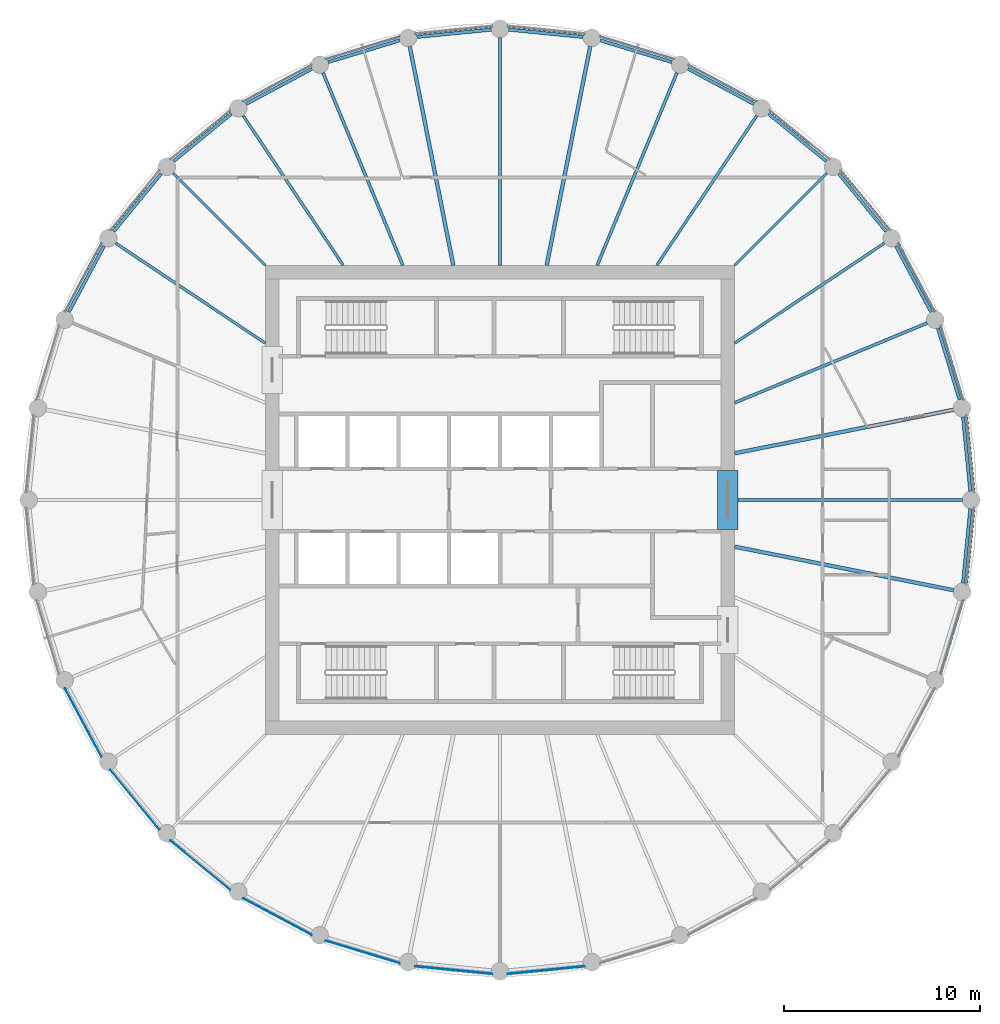
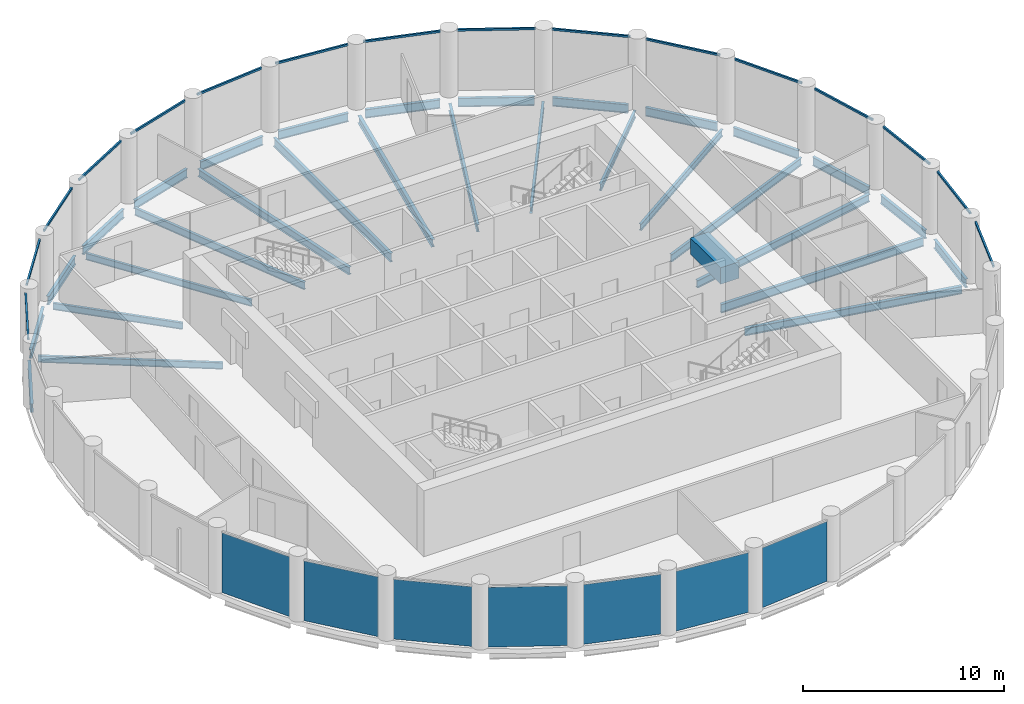
# One storey, part 2 of 7: 31 beams, 16 members, 7 plates, 23 elements without a shape of their own.
"""IFC4 building model written with IfcOpenShell, lengths in metres."""

from ifc_helpers import new_model, si_unit, direction, frame, origin, origin_2d, place, context, subcontext, project, spatial, rectangle, i_section, extrude, material, layer, layer_set, material_profile, profile_set, type_object, element, aggregate, save


model = new_model("IFC4")

# Units and contexts
model_context = context("Model", 3, precision=1e-05, world=origin(), true_north=direction((0.0, 1.0)))
body_context = subcontext(model_context, "Body", "Model", "MODEL_VIEW")
ifc_project = project(units=[si_unit("LENGTHUNIT", "METRE"), si_unit("AREAUNIT", "SQUARE_METRE"), si_unit("VOLUMEUNIT", "CUBIC_METRE"), si_unit("PLANEANGLEUNIT", "RADIAN"), si_unit("MASSUNIT", "GRAM", prefix="KILO")], contexts=[model_context])

# Site, building, storey
site_placement = place(None, origin())
site = spatial("IfcSite", under=ifc_project, at=site_placement, CompositionType="ELEMENT")
building_placement = place(site_placement, origin())
building = spatial("IfcBuilding", under=site, at=building_placement, Name="Corvane Civic Tower", CompositionType="ELEMENT")
storey_placement = place(building_placement, frame((0.0, 0.0, 315.0)))
storey = spatial("IfcBuildingStorey", under=building, at=storey_placement, Name="L75", CompositionType="ELEMENT", Elevation=315.0)

# Beams
ifc_material_1 = material(Name="Concrete C40/50", Category="concrete")
ifc_material_profile_1 = material_profile(ifc_material_1, rectangle(XDim=1.050048828125, YDim=1.0, at=origin_2d()), Name="COUPLING BEAM 1050X1000")
ifc_profile_set_1 = profile_set([ifc_material_profile_1], Name="Concrete C40/50")
beam_type_1 = type_object("IfcBeamType", Name="COUPLING BEAM COUPLING BEAM 1050X1000", PredefinedType="BEAM", material=ifc_profile_set_1)
beam_1_placement = place(storey_placement, frame((11.64990234375, -1.5, 2.60009765625), z_axis=(0.0, 1.0, 0.0), x_axis=(-1.0, 0.0, 0.0)))
element("IfcBeam", 1, at=beam_1_placement, inside=storey, type_object=beam_type_1, Name="BM-L75-cpl-CW-LE", PredefinedType="BEAM", context=body_context, shape_type="SweptSolid", body=[
    extrude(rectangle(XDim=1.050048828125, YDim=1.0, at=origin_2d()), origin(), (0.0, 0.0, 1.0), 3.0),
])
ifc_material_2 = material(Name="Steel ASTM A992 Gr 50", Category="steel")
ifc_material_profile_2 = material_profile(ifc_material_2, i_section(OverallWidth=0.165771484375, OverallDepth=0.5283203125, WebThickness=0.009765625, FlangeThickness=0.013671875, at=origin_2d()), Name="W21X50")
ifc_profile_set_2 = profile_set([ifc_material_profile_2], Name="Steel ASTM A992 Gr 50")
beam_type_2 = type_object("IfcBeamType", Name="EDGE BEAM W21X50", PredefinedType="BEAM", material=ifc_profile_set_2)
for number, where, z_axis, x_axis, name in (
    (2, (0.44775390625, 24.055908203125, -0.564208984375), (0.995187721162, -0.097986732007, 0.0), (0.097986732007, 0.995187721162, 0.0), "BM-L75-E01"),
    (3, (5.13232421875, 23.50634765625, -0.564208984375), (0.95692555902, -0.290333385085, 0.0), (0.290333385085, 0.95692555902, 0.0), "BM-L75-E02"),
):
    element("IfcBeam", number, at=place(storey_placement, frame(where, z_axis=z_axis, x_axis=x_axis)), inside=storey, type_object=beam_type_2, Name=name, PredefinedType="BEAM", context=body_context, shape_type="SweptSolid", body=[
        extrude(i_section(OverallWidth=0.165771484375, OverallDepth=0.5283203125, WebThickness=0.009765625, FlangeThickness=0.013671875, at=origin_2d()), origin(), (0.0, 0.0, 1.0), 3.824462890625),
    ])
beam_2_placement = place(storey_placement, frame((9.61962890625, 22.05322265625, -0.564208984375), z_axis=(0.881914279413, -0.471409804487, 0.0), x_axis=(0.471409804487, 0.881914279413, 0.0)))
element("IfcBeam", 4, at=beam_2_placement, inside=storey, type_object=beam_type_2, Name="BM-L75-E03", PredefinedType="BEAM", context=body_context, shape_type="SweptSolid", body=[
    extrude(i_section(OverallWidth=0.165771484375, OverallDepth=0.5283203125, WebThickness=0.009765625, FlangeThickness=0.013671875, at=origin_2d()), origin(), (0.0, 0.0, 1.0), 3.82421875),
])
for number, where, z_axis, x_axis, name in (
    (5, (13.737060546875, 19.7529296875, -0.564208984375), (0.772997914867, -0.634408562057, 0.0), (0.634408562057, 0.772997914867, 0.0), "BM-L75-E04"),
    (6, (17.32666015625, 16.693359375, -0.564208984375), (0.634408562057, -0.772997914867, 0.0), (0.772997914867, 0.634408562057, 0.0), "BM-L75-E05"),
):
    element("IfcBeam", number, at=place(storey_placement, frame(where, z_axis=z_axis, x_axis=x_axis)), inside=storey, type_object=beam_type_2, Name=name, PredefinedType="BEAM", context=body_context, shape_type="SweptSolid", body=[
        extrude(i_section(OverallWidth=0.165771484375, OverallDepth=0.5283203125, WebThickness=0.009765625, FlangeThickness=0.013671875, at=origin_2d()), origin(), (0.0, 0.0, 1.0), 3.824462890625),
    ])
beam_3_placement = place(storey_placement, frame((20.25048828125, 12.9921875, -0.564208984375), z_axis=(0.471409804487, -0.881914279413, 0.0), x_axis=(0.881914279413, 0.471409804487, 0.0)))
element("IfcBeam", 7, at=beam_3_placement, inside=storey, type_object=beam_type_2, Name="BM-L75-E06", PredefinedType="BEAM", context=body_context, shape_type="SweptSolid", body=[
    extrude(i_section(OverallWidth=0.165771484375, OverallDepth=0.5283203125, WebThickness=0.009765625, FlangeThickness=0.013671875, at=origin_2d()), origin(), (0.0, 0.0, 1.0), 3.82421875),
])
for number, where, z_axis, x_axis, name in (
    (8, (22.39599609375, 8.7919921875, -0.564208984375), (0.290333385085, -0.95692555902, 0.0), (0.95692555902, 0.290333385085, 0.0), "BM-L75-E07"),
    (9, (23.68115234375, 4.25390625, -0.564208984375), (0.097986732007, -0.995187721162, 0.0), (0.995187721162, 0.097986732007, 0.0), "BM-L75-E08"),
    (10, (24.055908203125, -0.44775390625, -0.564208984375), (-0.097986732007, -0.995187721162, 0.0), (0.995187721162, -0.097986732007, 0.0), "BM-L75-E09"),
):
    element("IfcBeam", number, at=place(storey_placement, frame(where, z_axis=z_axis, x_axis=x_axis)), inside=storey, type_object=beam_type_2, Name=name, PredefinedType="BEAM", context=body_context, shape_type="SweptSolid", body=[
        extrude(i_section(OverallWidth=0.165771484375, OverallDepth=0.5283203125, WebThickness=0.009765625, FlangeThickness=0.013671875, at=origin_2d()), origin(), (0.0, 0.0, 1.0), 3.824462890625),
    ])
beam_4_placement = place(storey_placement, frame((-22.05322265625, 9.61962890625, -0.564208984375), z_axis=(0.471409804487, 0.881914279413, 0.0), x_axis=(-0.881914279413, 0.471409804487, 0.0)))
element("IfcBeam", 11, at=beam_4_placement, inside=storey, type_object=beam_type_2, Name="BM-L75-E27", PredefinedType="BEAM", context=body_context, shape_type="SweptSolid", body=[
    extrude(i_section(OverallWidth=0.165771484375, OverallDepth=0.5283203125, WebThickness=0.009765625, FlangeThickness=0.013671875, at=origin_2d()), origin(), (0.0, 0.0, 1.0), 3.82421875),
])
for number, where, z_axis, x_axis, name in (
    (12, (-19.7529296875, 13.737060546875, -0.564208984375), (0.634408562057, 0.772997914867, 0.0), (-0.772997914867, 0.634408562057, 0.0), "BM-L75-E28"),
    (13, (-16.693359375, 17.32666015625, -0.564208984375), (0.772997914867, 0.634408562057, 0.0), (-0.634408562057, 0.772997914867, 0.0), "BM-L75-E29"),
):
    element("IfcBeam", number, at=place(storey_placement, frame(where, z_axis=z_axis, x_axis=x_axis)), inside=storey, type_object=beam_type_2, Name=name, PredefinedType="BEAM", context=body_context, shape_type="SweptSolid", body=[
        extrude(i_section(OverallWidth=0.165771484375, OverallDepth=0.5283203125, WebThickness=0.009765625, FlangeThickness=0.013671875, at=origin_2d()), origin(), (0.0, 0.0, 1.0), 3.824462890625),
    ])
beam_5_placement = place(storey_placement, frame((-12.9921875, 20.25048828125, -0.564208984375), z_axis=(0.881914279413, 0.471409804487, 0.0), x_axis=(-0.471409804487, 0.881914279413, 0.0)))
element("IfcBeam", 14, at=beam_5_placement, inside=storey, type_object=beam_type_2, Name="BM-L75-E30", PredefinedType="BEAM", context=body_context, shape_type="SweptSolid", body=[
    extrude(i_section(OverallWidth=0.165771484375, OverallDepth=0.5283203125, WebThickness=0.009765625, FlangeThickness=0.013671875, at=origin_2d()), origin(), (0.0, 0.0, 1.0), 3.82421875),
])
for number, where, z_axis, x_axis, name in (
    (15, (-8.7919921875, 22.39599609375, -0.564208984375), (0.95692555902, 0.290333385085, 0.0), (-0.290333385085, 0.95692555902, 0.0), "BM-L75-E31"),
    (16, (-4.25390625, 23.68115234375, -0.564208984375), (0.995187721162, 0.097986732007, 0.0), (-0.097986732007, 0.995187721162, 0.0), "BM-L75-E32"),
):
    element("IfcBeam", number, at=place(storey_placement, frame(where, z_axis=z_axis, x_axis=x_axis)), inside=storey, type_object=beam_type_2, Name=name, PredefinedType="BEAM", context=body_context, shape_type="SweptSolid", body=[
        extrude(i_section(OverallWidth=0.165771484375, OverallDepth=0.5283203125, WebThickness=0.009765625, FlangeThickness=0.013671875, at=origin_2d()), origin(), (0.0, 0.0, 1.0), 3.824462890625),
    ])
ifc_material_3 = material(Name="Steel ASTM A992 Gr 50", Category="steel")
ifc_material_profile_3 = material_profile(ifc_material_3, i_section(OverallWidth=0.140380859375, OverallDepth=0.40380859375, WebThickness=0.007080078125, FlangeThickness=0.01123046875, at=origin_2d()), Name="W16X31")
ifc_profile_set_3 = profile_set([ifc_material_profile_3], Name="Steel ASTM A992 Gr 50")
beam_type_3 = type_object("IfcBeamType", Name="FLOOR GIRDER W16X31", PredefinedType="BEAM", material=ifc_profile_set_3)
beam_6_placement = place(storey_placement, frame((8.01806640625, 12.0, -0.501953125), z_axis=(0.555567816355, 0.831471227061, 0.0), x_axis=(-0.831471227061, 0.555567816355, 0.0)))
element("IfcBeam", 17, at=beam_6_placement, inside=storey, type_object=beam_type_3, Name="BM-L75-G04", PredefinedType="BEAM", context=body_context, shape_type="SweptSolid", body=[
    extrude(i_section(OverallWidth=0.140380859375, OverallDepth=0.40380859375, WebThickness=0.007080078125, FlangeThickness=0.01123046875, at=origin_2d()), origin(), (0.0, 0.0, 1.0), 9.2177734375),
])
beam_7_placement = place(storey_placement, frame((12.0, 12.0, -0.501953125), z_axis=(0.707106781187, 0.707106781187, 0.0), x_axis=(-0.707106781187, 0.707106781187, 0.0)))
element("IfcBeam", 18, at=beam_7_placement, inside=storey, type_object=beam_type_3, Name="BM-L75-G05", PredefinedType="BEAM", context=body_context, shape_type="SweptSolid", body=[
    extrude(i_section(OverallWidth=0.140380859375, OverallDepth=0.40380859375, WebThickness=0.007080078125, FlangeThickness=0.01123046875, at=origin_2d()), origin(), (0.0, 0.0, 1.0), 6.679443359375),
])
for number, where, z_axis, x_axis, name in (
    (19, (12.0, 8.01806640625, -0.501953125), (0.831471227061, 0.555567816355, 0.0), (-0.555567816355, 0.831471227061, 0.0), "BM-L75-G06"),
    (20, (-12.0, 8.01806640625, -0.501953125), (-0.831471227061, 0.555567816355, 0.0), (-0.555567816355, -0.831471227061, 0.0), "BM-L75-G28"),
):
    element("IfcBeam", number, at=place(storey_placement, frame(where, z_axis=z_axis, x_axis=x_axis)), inside=storey, type_object=beam_type_3, Name=name, PredefinedType="BEAM", context=body_context, shape_type="SweptSolid", body=[
        extrude(i_section(OverallWidth=0.140380859375, OverallDepth=0.40380859375, WebThickness=0.007080078125, FlangeThickness=0.01123046875, at=origin_2d()), origin(), (0.0, 0.0, 1.0), 9.2177734375),
    ])
beam_8_placement = place(storey_placement, frame((-12.0, 12.0, -0.501953125), z_axis=(-0.707106781187, 0.707106781187, 0.0), x_axis=(-0.707106781187, -0.707106781187, 0.0)))
element("IfcBeam", 21, at=beam_8_placement, inside=storey, type_object=beam_type_3, Name="BM-L75-G29", PredefinedType="BEAM", context=body_context, shape_type="SweptSolid", body=[
    extrude(i_section(OverallWidth=0.140380859375, OverallDepth=0.40380859375, WebThickness=0.007080078125, FlangeThickness=0.01123046875, at=origin_2d()), origin(), (0.0, 0.0, 1.0), 6.679443359375),
])
beam_9_placement = place(storey_placement, frame((-8.01806640625, 12.0, -0.501953125), z_axis=(-0.555567816355, 0.831471227061, 0.0), x_axis=(-0.831471227061, -0.555567816355, 0.0)))
element("IfcBeam", 22, at=beam_9_placement, inside=storey, type_object=beam_type_3, Name="BM-L75-G30", PredefinedType="BEAM", context=body_context, shape_type="SweptSolid", body=[
    extrude(i_section(OverallWidth=0.140380859375, OverallDepth=0.40380859375, WebThickness=0.007080078125, FlangeThickness=0.01123046875, at=origin_2d()), origin(), (0.0, 0.0, 1.0), 9.2177734375),
])
ifc_material_4 = material(Name="Steel ASTM A992 Gr 50", Category="steel")
ifc_material_profile_4 = material_profile(ifc_material_4, i_section(OverallWidth=0.15283203125, OverallDepth=0.45458984375, WebThickness=0.008056640625, FlangeThickness=0.013427734375, at=origin_2d()), Name="W18X40")
ifc_profile_set_4 = profile_set([ifc_material_profile_4], Name="Steel ASTM A992 Gr 50")
beam_type_4 = type_object("IfcBeamType", Name="FLOOR GIRDER W18X40", PredefinedType="BEAM", material=ifc_profile_set_4)
for number, where, z_axis, x_axis, name in (
    (23, (4.970458984375, 12.0, -0.52734375), (0.382694257331, 0.923875048589, 0.0), (-0.923875048589, 0.382694257331, 0.0), "BM-L75-G03"),
    (24, (12.0, 4.970458984375, -0.52734375), (0.923875048589, 0.382694257331, 0.0), (-0.382694257331, 0.923875048589, 0.0), "BM-L75-G07"),
    (25, (-4.970458984375, 12.0, -0.52734375), (-0.382694257331, 0.923875048589, 0.0), (-0.923875048589, -0.382694257331, 0.0), "BM-L75-G31"),
):
    element("IfcBeam", number, at=place(storey_placement, frame(where, z_axis=z_axis, x_axis=x_axis)), inside=storey, type_object=beam_type_4, Name=name, PredefinedType="BEAM", context=body_context, shape_type="SweptSolid", body=[
        extrude(i_section(OverallWidth=0.15283203125, OverallDepth=0.45458984375, WebThickness=0.008056640625, FlangeThickness=0.013427734375, at=origin_2d()), origin(), (0.0, 0.0, 1.0), 10.661376953125),
    ])
ifc_material_5 = material(Name="Steel ASTM A992 Gr 50", Category="steel")
ifc_material_profile_5 = material_profile(ifc_material_5, i_section(OverallWidth=0.1904296875, OverallDepth=0.457275390625, WebThickness=0.009033203125, FlangeThickness=0.014404296875, at=origin_2d()), Name="W18X50")
ifc_profile_set_5 = profile_set([ifc_material_profile_5], Name="Steel ASTM A992 Gr 50")
beam_type_5 = type_object("IfcBeamType", Name="FLOOR GIRDER W18X50", PredefinedType="BEAM", material=ifc_profile_set_5)
for number, where, z_axis, x_axis, name in (
    (26, (2.386962890625, 12.0, -0.528564453125), (0.195079532402, 0.980787426529, 0.0), (-0.980787426529, 0.195079532402, 0.0), "BM-L75-G02"),
    (27, (12.0, 2.386962890625, -0.528564453125), (0.980787426529, 0.195079532402, 0.0), (-0.195079532402, 0.980787426529, 0.0), "BM-L75-G08"),
    (28, (12.0, -2.386962890625, -0.528564453125), (0.980787426529, -0.195079532402, 0.0), (0.195079532402, 0.980787426529, 0.0), "BM-L75-G10"),
    (29, (-2.386962890625, 12.0, -0.528564453125), (-0.195079532402, 0.980787426529, 0.0), (-0.980787426529, -0.195079532402, 0.0), "BM-L75-G32"),
):
    element("IfcBeam", number, at=place(storey_placement, frame(where, z_axis=z_axis, x_axis=x_axis)), inside=storey, type_object=beam_type_5, Name=name, PredefinedType="BEAM", context=body_context, shape_type="SweptSolid", body=[
        extrude(i_section(OverallWidth=0.1904296875, OverallDepth=0.457275390625, WebThickness=0.009033203125, FlangeThickness=0.014404296875, at=origin_2d()), origin(), (0.0, 0.0, 1.0), 11.414794921875),
    ])
ifc_material_6 = material(Name="Steel ASTM A992 Gr 50", Category="steel")
ifc_material_profile_6 = material_profile(ifc_material_6, i_section(OverallWidth=0.165771484375, OverallDepth=0.5283203125, WebThickness=0.009765625, FlangeThickness=0.013671875, at=origin_2d()), Name="W21X50")
ifc_profile_set_6 = profile_set([ifc_material_profile_6], Name="Steel ASTM A992 Gr 50")
beam_type_6 = type_object("IfcBeamType", Name="FLOOR GIRDER W21X50", PredefinedType="BEAM", material=ifc_profile_set_6)
for number, where, z_axis, x_axis, name in (
    (30, (0.0, 12.0, -0.564208984375), (0.0, 1.0, 0.0), (-1.0, 0.0, 0.0), "BM-L75-G01"),
    (31, (12.0, 0.0, -0.564208984375), (1.0, 0.0, 0.0), (0.0, 1.0, 0.0), "BM-L75-G09"),
):
    element("IfcBeam", number, at=place(storey_placement, frame(where, z_axis=z_axis, x_axis=x_axis)), inside=storey, type_object=beam_type_6, Name=name, PredefinedType="BEAM", context=body_context, shape_type="SweptSolid", body=[
        extrude(i_section(OverallWidth=0.165771484375, OverallDepth=0.5283203125, WebThickness=0.009765625, FlangeThickness=0.013671875, at=origin_2d()), origin(), (0.0, 0.0, 1.0), 11.64990234375),
    ])

# Curtain wall, member
ifc_material_7 = material(Name="Anodised aluminium bronze", Category="aluminium")
curtain_wall_type = type_object("IfcCurtainWallType", Name="TOWER CW-T3 STICK CURTAIN WALL", PredefinedType="NOTDEFINED", material=ifc_material_7)
curtain_wall_1_placement = place(storey_placement, origin())
curtain_wall_1 = element("IfcCurtainWall", 32, at=curtain_wall_1_placement, inside=storey, type_object=curtain_wall_type, Name="Curtain wall CW-T3 L75 bay 01", PredefinedType="NOTDEFINED")
ifc_material_8 = material(Name="Anodised aluminium bronze", Category="aluminium")
ifc_material_profile_7 = material_profile(ifc_material_8, rectangle(XDim=0.10009765625, YDim=0.1201171875, at=origin_2d()), Name="TOWER CW-T3 TRANSOM 100x120")
ifc_profile_set_7 = profile_set([ifc_material_profile_7], Name="Anodised aluminium bronze")
member_type = type_object("IfcMemberType", Name="TOWER CW-T3 TRANSOM 100x120", PredefinedType="USERDEFINED", material=ifc_profile_set_7)
member_1_placement = place(storey_placement, frame((0.3984375, 24.24072265625, 3.68994140625), z_axis=(0.995186866683, -0.097995409999, 0.0), x_axis=(0.097995409999, 0.995186866683, 0.0)))
member_1 = element("IfcMember", 33, at=member_1_placement, type_object=member_type, Name="Transom CW-T3 L75 01.1", ObjectType="TRANSOM", PredefinedType="USERDEFINED", context=body_context, shape_type="SweptSolid", body=[
    extrude(rectangle(XDim=0.10009765625, YDim=0.1201171875, at=origin_2d()), origin(), (0.0, 0.0, 1.0), 3.958740234375),
])
aggregate(curtain_wall_1, [member_1])

curtain_wall_2_placement = place(storey_placement, origin())
curtain_wall_2 = element("IfcCurtainWall", 34, at=curtain_wall_2_placement, inside=storey, type_object=curtain_wall_type, Name="Curtain wall CW-T3 L75 bay 02", PredefinedType="NOTDEFINED")
member_2_placement = place(storey_placement, frame((5.119873046875, 23.697265625, 3.68994140625), z_axis=(0.956946054205, -0.290265825309, 0.0), x_axis=(0.290265825309, 0.956946054205, 0.0)))
member_2 = element("IfcMember", 35, at=member_2_placement, type_object=member_type, Name="Transom CW-T3 L75 02.1", ObjectType="TRANSOM", PredefinedType="USERDEFINED", context=body_context, shape_type="SweptSolid", body=[
    extrude(rectangle(XDim=0.10009765625, YDim=0.1201171875, at=origin_2d()), origin(), (0.0, 0.0, 1.0), 3.958984375),
])
aggregate(curtain_wall_2, [member_2])

curtain_wall_3_placement = place(storey_placement, origin())
curtain_wall_3 = element("IfcCurtainWall", 36, at=curtain_wall_3_placement, inside=storey, type_object=curtain_wall_type, Name="Curtain wall CW-T3 L75 bay 03", PredefinedType="NOTDEFINED")
member_3_placement = place(storey_placement, frame((9.644775390625, 22.2431640625, 3.68994140625), z_axis=(0.881883040816, -0.471468241052, 0.0), x_axis=(0.471468241052, 0.881883040816, 0.0)))
member_3 = element("IfcMember", 37, at=member_3_placement, type_object=member_type, Name="Transom CW-T3 L75 03.1", ObjectType="TRANSOM", PredefinedType="USERDEFINED", context=body_context, shape_type="SweptSolid", body=[
    extrude(rectangle(XDim=0.10009765625, YDim=0.1201171875, at=origin_2d()), origin(), (0.0, 0.0, 1.0), 3.958740234375),
])
aggregate(curtain_wall_3, [member_3])

curtain_wall_4_placement = place(storey_placement, origin())
curtain_wall_4 = element("IfcCurtainWall", 38, at=curtain_wall_4_placement, inside=storey, type_object=curtain_wall_type, Name="Curtain wall CW-T3 L75 bay 04", PredefinedType="NOTDEFINED")
member_4_placement = place(storey_placement, frame((13.798828125, 19.93408203125, 3.68994140625), z_axis=(0.772991943051, -0.634415838373, 0.0), x_axis=(0.634415838373, 0.772991943051, 0.0)))
member_4 = element("IfcMember", 39, at=member_4_placement, type_object=member_type, Name="Transom CW-T3 L75 04.1", ObjectType="TRANSOM", PredefinedType="USERDEFINED", context=body_context, shape_type="SweptSolid", body=[
    extrude(rectangle(XDim=0.10009765625, YDim=0.1201171875, at=origin_2d()), origin(), (0.0, 0.0, 1.0), 3.958740234375),
])
aggregate(curtain_wall_4, [member_4])

curtain_wall_5_placement = place(storey_placement, origin())
curtain_wall_5 = element("IfcCurtainWall", 40, at=curtain_wall_5_placement, inside=storey, type_object=curtain_wall_type, Name="Curtain wall CW-T3 L75 bay 05", PredefinedType="NOTDEFINED")
member_5_placement = place(storey_placement, frame((17.422607421875, 16.85888671875, 3.68994140625), z_axis=(0.634415838373, -0.772991943051, 0.0), x_axis=(0.772991943051, 0.634415838373, 0.0)))
member_5 = element("IfcMember", 41, at=member_5_placement, type_object=member_type, Name="Transom CW-T3 L75 05.1", ObjectType="TRANSOM", PredefinedType="USERDEFINED", context=body_context, shape_type="SweptSolid", body=[
    extrude(rectangle(XDim=0.10009765625, YDim=0.1201171875, at=origin_2d()), origin(), (0.0, 0.0, 1.0), 3.958740234375),
])
aggregate(curtain_wall_5, [member_5])

curtain_wall_6_placement = place(storey_placement, origin())
curtain_wall_6 = element("IfcCurtainWall", 42, at=curtain_wall_6_placement, inside=storey, type_object=curtain_wall_type, Name="Curtain wall CW-T3 L75 bay 06", PredefinedType="NOTDEFINED")
member_6_placement = place(storey_placement, frame((20.376708984375, 13.135986328125, 3.68994140625), z_axis=(0.471468241052, -0.881883040816, 0.0), x_axis=(0.881883040816, 0.471468241052, 0.0)))
member_6 = element("IfcMember", 43, at=member_6_placement, type_object=member_type, Name="Transom CW-T3 L75 06.1", ObjectType="TRANSOM", PredefinedType="USERDEFINED", context=body_context, shape_type="SweptSolid", body=[
    extrude(rectangle(XDim=0.10009765625, YDim=0.1201171875, at=origin_2d()), origin(), (0.0, 0.0, 1.0), 3.958740234375),
])
aggregate(curtain_wall_6, [member_6])

curtain_wall_7_placement = place(storey_placement, origin())
curtain_wall_7 = element("IfcCurtainWall", 44, at=curtain_wall_7_placement, inside=storey, type_object=curtain_wall_type, Name="Curtain wall CW-T3 L75 bay 07", PredefinedType="NOTDEFINED")
member_7_placement = place(storey_placement, frame((22.548095703125, 8.908447265625, 3.68994140625), z_axis=(0.290265825309, -0.956946054205, 0.0), x_axis=(0.956946054205, 0.290265825309, 0.0)))
member_7 = element("IfcMember", 45, at=member_7_placement, type_object=member_type, Name="Transom CW-T3 L75 07.1", ObjectType="TRANSOM", PredefinedType="USERDEFINED", context=body_context, shape_type="SweptSolid", body=[
    extrude(rectangle(XDim=0.10009765625, YDim=0.1201171875, at=origin_2d()), origin(), (0.0, 0.0, 1.0), 3.958984375),
])
aggregate(curtain_wall_7, [member_7])

curtain_wall_8_placement = place(storey_placement, origin())
curtain_wall_8 = element("IfcCurtainWall", 46, at=curtain_wall_8_placement, inside=storey, type_object=curtain_wall_type, Name="Curtain wall CW-T3 L75 bay 08", PredefinedType="NOTDEFINED")
member_8_placement = place(storey_placement, frame((23.852783203125, 4.338134765625, 3.68994140625), z_axis=(0.097995409999, -0.995186866683, 0.0), x_axis=(0.995186866683, 0.097995409999, 0.0)))
member_8 = element("IfcMember", 47, at=member_8_placement, type_object=member_type, Name="Transom CW-T3 L75 08.1", ObjectType="TRANSOM", PredefinedType="USERDEFINED", context=body_context, shape_type="SweptSolid", body=[
    extrude(rectangle(XDim=0.10009765625, YDim=0.1201171875, at=origin_2d()), origin(), (0.0, 0.0, 1.0), 3.958740234375),
])
aggregate(curtain_wall_8, [member_8])

curtain_wall_9_placement = place(storey_placement, origin())
curtain_wall_9 = element("IfcCurtainWall", 48, at=curtain_wall_9_placement, inside=storey, type_object=curtain_wall_type, Name="Curtain wall CW-T3 L75 bay 09", PredefinedType="NOTDEFINED")
member_9_placement = place(storey_placement, frame((24.24072265625, -0.3984375, 3.68994140625), z_axis=(-0.097995409999, -0.995186866683, 0.0), x_axis=(0.995186866683, -0.097995409999, 0.0)))
member_9 = element("IfcMember", 49, at=member_9_placement, type_object=member_type, Name="Transom CW-T3 L75 09.1", ObjectType="TRANSOM", PredefinedType="USERDEFINED", context=body_context, shape_type="SweptSolid", body=[
    extrude(rectangle(XDim=0.10009765625, YDim=0.1201171875, at=origin_2d()), origin(), (0.0, 0.0, 1.0), 3.958740234375),
])
aggregate(curtain_wall_9, [member_9])

curtain_wall_10_placement = place(storey_placement, origin())
curtain_wall_10 = element("IfcCurtainWall", 50, at=curtain_wall_10_placement, inside=storey, type_object=curtain_wall_type, Name="Curtain wall CW-T3 L75 bay 10", PredefinedType="NOTDEFINED")
member_10_placement = place(storey_placement, frame((23.697265625, -5.119873046875, 3.68994140625), z_axis=(-0.290265825309, -0.956946054205, 0.0), x_axis=(0.956946054205, -0.290265825309, 0.0)))
member_10 = element("IfcMember", 51, at=member_10_placement, type_object=member_type, Name="Transom CW-T3 L75 10.1", ObjectType="TRANSOM", PredefinedType="USERDEFINED", context=body_context, shape_type="SweptSolid", body=[
    extrude(rectangle(XDim=0.10009765625, YDim=0.1201171875, at=origin_2d()), origin(), (0.0, 0.0, 1.0), 3.958984375),
])
aggregate(curtain_wall_10, [member_10])

curtain_wall_11_placement = place(storey_placement, origin())
curtain_wall_11 = element("IfcCurtainWall", 52, at=curtain_wall_11_placement, inside=storey, type_object=curtain_wall_type, Name="Curtain wall CW-T3 L75 bay 27", PredefinedType="NOTDEFINED")
member_11_placement = place(storey_placement, frame((-22.2431640625, 9.644775390625, 3.68994140625), z_axis=(0.471468241052, 0.881883040816, 0.0), x_axis=(-0.881883040816, 0.471468241052, 0.0)))
member_11 = element("IfcMember", 53, at=member_11_placement, type_object=member_type, Name="Transom CW-T3 L75 27.1", ObjectType="TRANSOM", PredefinedType="USERDEFINED", context=body_context, shape_type="SweptSolid", body=[
    extrude(rectangle(XDim=0.10009765625, YDim=0.1201171875, at=origin_2d()), origin(), (0.0, 0.0, 1.0), 3.958740234375),
])
aggregate(curtain_wall_11, [member_11])

curtain_wall_12_placement = place(storey_placement, origin())
curtain_wall_12 = element("IfcCurtainWall", 54, at=curtain_wall_12_placement, inside=storey, type_object=curtain_wall_type, Name="Curtain wall CW-T3 L75 bay 28", PredefinedType="NOTDEFINED")
member_12_placement = place(storey_placement, frame((-19.93408203125, 13.798828125, 3.68994140625), z_axis=(0.634415838373, 0.772991943051, 0.0), x_axis=(-0.772991943051, 0.634415838373, 0.0)))
member_12 = element("IfcMember", 55, at=member_12_placement, type_object=member_type, Name="Transom CW-T3 L75 28.1", ObjectType="TRANSOM", PredefinedType="USERDEFINED", context=body_context, shape_type="SweptSolid", body=[
    extrude(rectangle(XDim=0.10009765625, YDim=0.1201171875, at=origin_2d()), origin(), (0.0, 0.0, 1.0), 3.958740234375),
])
aggregate(curtain_wall_12, [member_12])

curtain_wall_13_placement = place(storey_placement, origin())
curtain_wall_13 = element("IfcCurtainWall", 56, at=curtain_wall_13_placement, inside=storey, type_object=curtain_wall_type, Name="Curtain wall CW-T3 L75 bay 29", PredefinedType="NOTDEFINED")
member_13_placement = place(storey_placement, frame((-16.85888671875, 17.422607421875, 3.68994140625), z_axis=(0.772991943051, 0.634415838373, 0.0), x_axis=(-0.634415838373, 0.772991943051, 0.0)))
member_13 = element("IfcMember", 57, at=member_13_placement, type_object=member_type, Name="Transom CW-T3 L75 29.1", ObjectType="TRANSOM", PredefinedType="USERDEFINED", context=body_context, shape_type="SweptSolid", body=[
    extrude(rectangle(XDim=0.10009765625, YDim=0.1201171875, at=origin_2d()), origin(), (0.0, 0.0, 1.0), 3.958740234375),
])
aggregate(curtain_wall_13, [member_13])

curtain_wall_14_placement = place(storey_placement, origin())
curtain_wall_14 = element("IfcCurtainWall", 58, at=curtain_wall_14_placement, inside=storey, type_object=curtain_wall_type, Name="Curtain wall CW-T3 L75 bay 30", PredefinedType="NOTDEFINED")
member_14_placement = place(storey_placement, frame((-13.135986328125, 20.376708984375, 3.68994140625), z_axis=(0.881883040816, 0.471468241052, 0.0), x_axis=(-0.471468241052, 0.881883040816, 0.0)))
member_14 = element("IfcMember", 59, at=member_14_placement, type_object=member_type, Name="Transom CW-T3 L75 30.1", ObjectType="TRANSOM", PredefinedType="USERDEFINED", context=body_context, shape_type="SweptSolid", body=[
    extrude(rectangle(XDim=0.10009765625, YDim=0.1201171875, at=origin_2d()), origin(), (0.0, 0.0, 1.0), 3.958740234375),
])
aggregate(curtain_wall_14, [member_14])

curtain_wall_15_placement = place(storey_placement, origin())
curtain_wall_15 = element("IfcCurtainWall", 60, at=curtain_wall_15_placement, inside=storey, type_object=curtain_wall_type, Name="Curtain wall CW-T3 L75 bay 31", PredefinedType="NOTDEFINED")
member_15_placement = place(storey_placement, frame((-8.908447265625, 22.548095703125, 3.68994140625), z_axis=(0.956946054205, 0.290265825309, 0.0), x_axis=(-0.290265825309, 0.956946054205, 0.0)))
member_15 = element("IfcMember", 61, at=member_15_placement, type_object=member_type, Name="Transom CW-T3 L75 31.1", ObjectType="TRANSOM", PredefinedType="USERDEFINED", context=body_context, shape_type="SweptSolid", body=[
    extrude(rectangle(XDim=0.10009765625, YDim=0.1201171875, at=origin_2d()), origin(), (0.0, 0.0, 1.0), 3.958984375),
])
aggregate(curtain_wall_15, [member_15])

curtain_wall_16_placement = place(storey_placement, origin())
curtain_wall_16 = element("IfcCurtainWall", 62, at=curtain_wall_16_placement, inside=storey, type_object=curtain_wall_type, Name="Curtain wall CW-T3 L75 bay 32", PredefinedType="NOTDEFINED")
member_16_placement = place(storey_placement, frame((-4.338134765625, 23.852783203125, 3.68994140625), z_axis=(0.995186866683, 0.097995409999, 0.0), x_axis=(-0.097995409999, 0.995186866683, 0.0)))
member_16 = element("IfcMember", 63, at=member_16_placement, type_object=member_type, Name="Transom CW-T3 L75 32.1", ObjectType="TRANSOM", PredefinedType="USERDEFINED", context=body_context, shape_type="SweptSolid", body=[
    extrude(rectangle(XDim=0.10009765625, YDim=0.1201171875, at=origin_2d()), origin(), (0.0, 0.0, 1.0), 3.958740234375),
])
aggregate(curtain_wall_16, [member_16])

# Curtain wall, plate
curtain_wall_17_placement = place(storey_placement, origin())
curtain_wall_17 = element("IfcCurtainWall", 64, at=curtain_wall_17_placement, inside=storey, type_object=curtain_wall_type, Name="Curtain wall CW-T3 L75 bay 16", PredefinedType="NOTDEFINED")
ifc_material_9 = material(Name="Tinted glass", Category="glass")
ifc_layer = layer(ifc_material_9, 0.028076171875)
ifc_layer_set = layer_set([ifc_layer], Name="Tinted glass")
plate_type = type_object("IfcPlateType", Name="TOWER CW-T3 PANEL IGU28", PredefinedType="CURTAIN_PANEL", material=ifc_layer_set)
plate_1_placement = place(storey_placement, frame((2.368408203125, -24.046875, 0.0), z_axis=(0.0, 0.0, 1.0), x_axis=(-0.99518437747, -0.098020685775, 0.0)))
plate_1 = element("IfcPlate", 65, at=plate_1_placement, type_object=plate_type, Name="Glass panel CW-T3 L75 16.1", PredefinedType="CURTAIN_PANEL", context=body_context, shape_type="SweptSolid", body=[
    extrude(rectangle(XDim=3.958740234375, YDim=0.028076171875, at=origin_2d()), origin(), (0.0, 0.0, 1.0), 3.6298828125),
])
aggregate(curtain_wall_17, [plate_1])

curtain_wall_18_placement = place(storey_placement, origin())
curtain_wall_18 = element("IfcCurtainWall", 66, at=curtain_wall_18_placement, inside=storey, type_object=curtain_wall_type, Name="Curtain wall CW-T3 L75 bay 17", PredefinedType="NOTDEFINED")
plate_2_placement = place(storey_placement, frame((-2.368408203125, -24.046875, 0.0), z_axis=(0.0, 0.0, 1.0), x_axis=(-0.99518437747, 0.098020685775, 0.0)))
plate_2 = element("IfcPlate", 67, at=plate_2_placement, type_object=plate_type, Name="Glass panel CW-T3 L75 17.1", PredefinedType="CURTAIN_PANEL", context=body_context, shape_type="SweptSolid", body=[
    extrude(rectangle(XDim=3.958740234375, YDim=0.028076171875, at=origin_2d()), origin(), (0.0, 0.0, 1.0), 3.6298828125),
])
aggregate(curtain_wall_18, [plate_2])

curtain_wall_19_placement = place(storey_placement, origin())
curtain_wall_19 = element("IfcCurtainWall", 68, at=curtain_wall_19_placement, inside=storey, type_object=curtain_wall_type, Name="Curtain wall CW-T3 L75 bay 18", PredefinedType="NOTDEFINED")
plate_3_placement = place(storey_placement, frame((-7.01416015625, -23.12255859375, 0.0), z_axis=(0.0, 0.0, 1.0), x_axis=(-0.956943694519, 0.290273604586, 0.0)))
plate_3 = element("IfcPlate", 69, at=plate_3_placement, type_object=plate_type, Name="Glass panel CW-T3 L75 18.1", PredefinedType="CURTAIN_PANEL", context=body_context, shape_type="SweptSolid", body=[
    extrude(rectangle(XDim=3.958984375, YDim=0.028076171875, at=origin_2d()), origin(), (0.0, 0.0, 1.0), 3.6298828125),
])
aggregate(curtain_wall_19, [plate_3])

curtain_wall_20_placement = place(storey_placement, origin())
curtain_wall_20 = element("IfcCurtainWall", 70, at=curtain_wall_20_placement, inside=storey, type_object=curtain_wall_type, Name="Curtain wall CW-T3 L75 bay 19", PredefinedType="NOTDEFINED")
plate_4_placement = place(storey_placement, frame((-11.390380859375, -21.31005859375, 0.0), z_axis=(0.0, 0.0, 1.0), x_axis=(-0.881908138655, 0.471421292448, 0.0)))
plate_4 = element("IfcPlate", 71, at=plate_4_placement, type_object=plate_type, Name="Glass panel CW-T3 L75 19.1", PredefinedType="CURTAIN_PANEL", context=body_context, shape_type="SweptSolid", body=[
    extrude(rectangle(XDim=3.958740234375, YDim=0.028076171875, at=origin_2d()), origin(), (0.0, 0.0, 1.0), 3.6298828125),
])
aggregate(curtain_wall_20, [plate_4])

curtain_wall_21_placement = place(storey_placement, origin())
curtain_wall_21 = element("IfcCurtainWall", 72, at=curtain_wall_21_placement, inside=storey, type_object=curtain_wall_type, Name="Curtain wall CW-T3 L75 bay 20", PredefinedType="NOTDEFINED")
plate_5_placement = place(storey_placement, frame((-15.328857421875, -18.67822265625, 0.0), z_axis=(0.0, 0.0, 1.0), x_axis=(-0.773001130565, 0.634404643855, 0.0)))
plate_5 = element("IfcPlate", 73, at=plate_5_placement, type_object=plate_type, Name="Glass panel CW-T3 L75 20.1", PredefinedType="CURTAIN_PANEL", context=body_context, shape_type="SweptSolid", body=[
    extrude(rectangle(XDim=3.958740234375, YDim=0.028076171875, at=origin_2d()), origin(), (0.0, 0.0, 1.0), 3.6298828125),
])
aggregate(curtain_wall_21, [plate_5])

curtain_wall_22_placement = place(storey_placement, origin())
curtain_wall_22 = element("IfcCurtainWall", 74, at=curtain_wall_22_placement, inside=storey, type_object=curtain_wall_type, Name="Curtain wall CW-T3 L75 bay 21", PredefinedType="NOTDEFINED")
plate_6_placement = place(storey_placement, frame((-18.67822265625, -15.328857421875, 0.0), z_axis=(0.0, 0.0, 1.0), x_axis=(-0.634404643855, 0.773001130565, 0.0)))
plate_6 = element("IfcPlate", 75, at=plate_6_placement, type_object=plate_type, Name="Glass panel CW-T3 L75 21.1", PredefinedType="CURTAIN_PANEL", context=body_context, shape_type="SweptSolid", body=[
    extrude(rectangle(XDim=3.958740234375, YDim=0.028076171875, at=origin_2d()), origin(), (0.0, 0.0, 1.0), 3.6298828125),
])
aggregate(curtain_wall_22, [plate_6])

curtain_wall_23_placement = place(storey_placement, origin())
curtain_wall_23 = element("IfcCurtainWall", 76, at=curtain_wall_23_placement, inside=storey, type_object=curtain_wall_type, Name="Curtain wall CW-T3 L75 bay 22", PredefinedType="NOTDEFINED")
plate_7_placement = place(storey_placement, frame((-21.31005859375, -11.390380859375, 0.0), z_axis=(0.0, 0.0, 1.0), x_axis=(-0.471421292448, 0.881908138655, 0.0)))
plate_7 = element("IfcPlate", 77, at=plate_7_placement, type_object=plate_type, Name="Glass panel CW-T3 L75 22.1", PredefinedType="CURTAIN_PANEL", context=body_context, shape_type="SweptSolid", body=[
    extrude(rectangle(XDim=3.958740234375, YDim=0.028076171875, at=origin_2d()), origin(), (0.0, 0.0, 1.0), 3.6298828125),
])
aggregate(curtain_wall_23, [plate_7])

save(model, "model.ifc")
